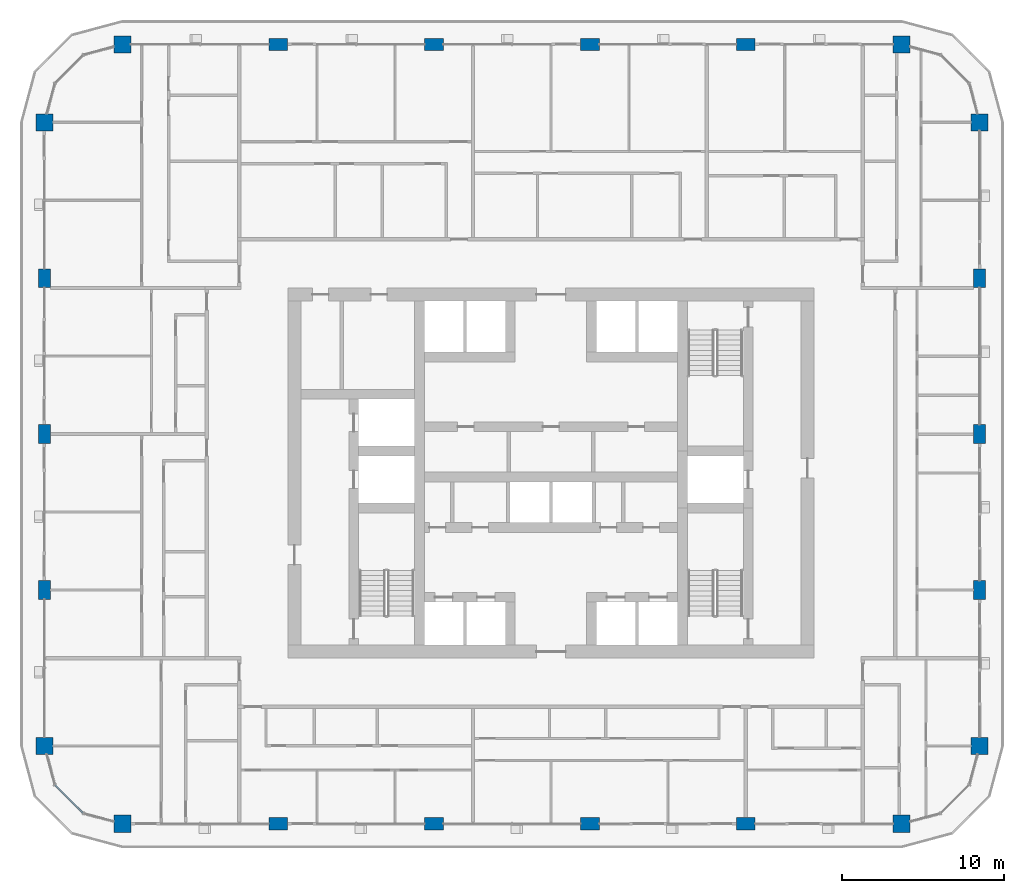
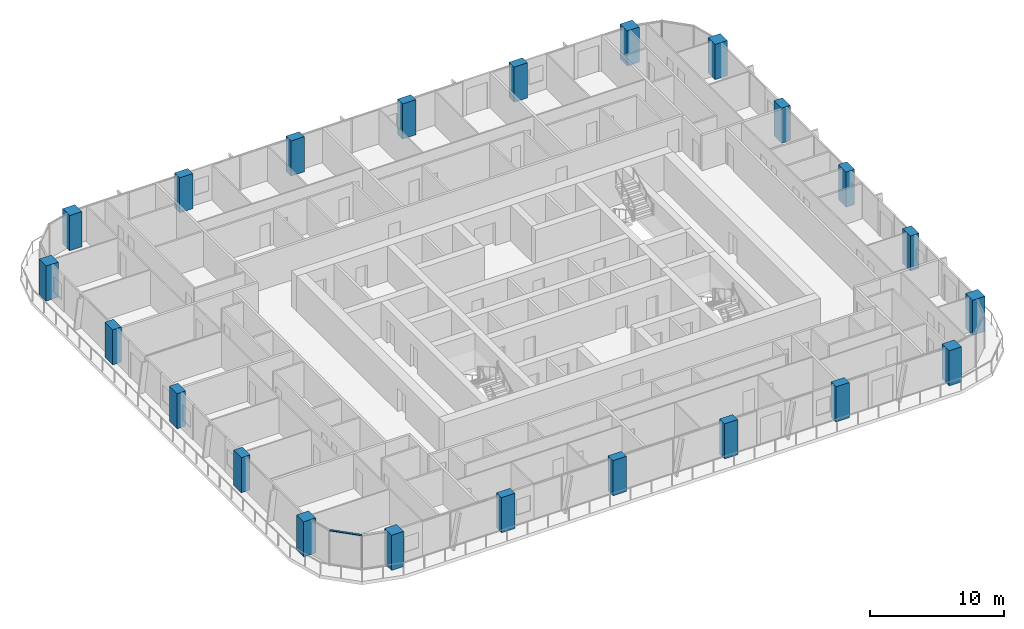
# One storey, part 1 of 22: 22 columns, 1 member, 1 element without a shape of its own.
"""IFC4 building model written with IfcOpenShell, lengths in metres."""

from ifc_helpers import new_model, si_unit, direction, frame, origin, origin_2d, place, context, subcontext, project, spatial, rectangle, extrude, material, layer, layer_set, material_profile, profile_set, type_object, element, aggregate, save


model = new_model("IFC4")

# Units and contexts
model_context = context("Model", 3, precision=1e-05, world=origin(), true_north=direction((0.0, 1.0)))
body_context = subcontext(model_context, "Body", "Model", "MODEL_VIEW")
ifc_project = project(units=[si_unit("LENGTHUNIT", "METRE"), si_unit("AREAUNIT", "SQUARE_METRE"), si_unit("VOLUMEUNIT", "CUBIC_METRE"), si_unit("PLANEANGLEUNIT", "RADIAN"), si_unit("MASSUNIT", "GRAM", prefix="KILO")], contexts=[model_context])

# Site, building, storey
site_placement = place(None, origin())
site = spatial("IfcSite", under=ifc_project, at=site_placement, CompositionType="ELEMENT")
building_placement = place(site_placement, origin())
building = spatial("IfcBuilding", under=site, at=building_placement, Name="Madar Terraces", CompositionType="ELEMENT")
storey_placement = place(building_placement, frame((0.0, 0.0, 122.60009765625)))
storey = spatial("IfcBuildingStorey", under=building, at=storey_placement, Name="L31", CompositionType="ELEMENT", Elevation=122.60009765625)

# Columns
ifc_material_1 = material(Name="Concrete C70/85", Category="concrete")
ifc_material_profile_1 = material_profile(ifc_material_1, rectangle(XDim=1.14990234375, YDim=0.75, at=origin_2d()), Name="CC3 RC 1150x750")
ifc_profile_set_1 = profile_set([ifc_material_profile_1], Name="Concrete C70/85")
column_type_1 = type_object("IfcColumnType", Name="CC3 RC 1150x750", PredefinedType="COLUMN", material=ifc_profile_set_1)
for number, where, z_axis, x_axis, name in (
    (1, (14.39990234375, 4.800048828125, 0.0), (0.0, 0.0, 1.0), (1.0, 0.0, 0.0), "Perimeter column S2"),
    (2, (24.0, 4.800048828125, 0.0), (0.0, 0.0, 1.0), (1.0, 0.0, 0.0), "Perimeter column S3"),
    (3, (33.60009765625, 4.800048828125, 0.0), (0.0, 0.0, 1.0), (1.0, 0.0, 0.0), "Perimeter column S4"),
    (4, (43.199951171875, 4.800048828125, 0.0), (0.0, 0.0, 1.0), (1.0, 0.0, 0.0), "Perimeter column S5"),
    (5, (57.60009765625, 19.199951171875, 0.0), (0.0, 0.0, 1.0), (0.0, 1.0, 0.0), "Perimeter column E2"),
    (6, (57.60009765625, 28.800048828125, 0.0), (0.0, 0.0, 1.0), (0.0, 1.0, 0.0), "Perimeter column E3"),
    (7, (57.60009765625, 38.39990234375, 0.0), (0.0, 0.0, 1.0), (0.0, 1.0, 0.0), "Perimeter column E4"),
    (8, (43.199951171875, 52.800048828125, 0.0), (0.0, 0.0, 1.0), (1.0, 0.0, 0.0), "Perimeter column N2"),
    (9, (33.60009765625, 52.800048828125, 0.0), (0.0, 0.0, 1.0), (1.0, 0.0, 0.0), "Perimeter column N3"),
    (10, (24.0, 52.800048828125, 0.0), (0.0, 0.0, 1.0), (1.0, 0.0, 0.0), "Perimeter column N4"),
    (11, (14.39990234375, 52.800048828125, 0.0), (0.0, 0.0, 1.0), (1.0, 0.0, 0.0), "Perimeter column N5"),
    (12, (0.0, 38.39990234375, 0.0), (0.0, 0.0, 1.0), (0.0, 1.0, 0.0), "Perimeter column W2"),
    (13, (0.0, 28.800048828125, 0.0), (0.0, 0.0, 1.0), (0.0, 1.0, 0.0), "Perimeter column W3"),
    (14, (0.0, 19.199951171875, 0.0), (0.0, 0.0, 1.0), (0.0, 1.0, 0.0), "Perimeter column W4"),
):
    element("IfcColumn", number, at=place(storey_placement, frame(where, z_axis=z_axis, x_axis=x_axis)), inside=storey, type_object=column_type_1, Name=name, PredefinedType="COLUMN", context=body_context, shape_type="SweptSolid", body=[
        extrude(rectangle(XDim=1.14990234375, YDim=0.75, at=origin_2d()), origin(), (0.0, 0.0, 1.0), 3.199951171875),
    ])
ifc_material_2 = material(Name="Concrete C70/85", Category="concrete")
ifc_material_profile_2 = material_profile(ifc_material_2, rectangle(XDim=1.050048828125, YDim=1.050048828125, at=origin_2d()), Name="KC3 RC 1050x1050")
ifc_profile_set_2 = profile_set([ifc_material_profile_2], Name="Concrete C70/85")
column_type_2 = type_object("IfcColumnType", Name="KC3 RC 1050x1050", PredefinedType="COLUMN", material=ifc_profile_set_2)
for number, where, z_axis, x_axis, name in (
    (15, (4.800048828125, 4.800048828125, 0.0), (0.0, 0.0, 1.0), (1.0, 0.0, 0.0), "Perimeter column S1"),
    (16, (52.800048828125, 4.800048828125, 0.0), (0.0, 0.0, 1.0), (1.0, 0.0, 0.0), "Perimeter column S6"),
    (17, (57.60009765625, 9.60009765625, 0.0), (0.0, 0.0, 1.0), (1.0, 0.0, 0.0), "Perimeter column E1"),
    (18, (57.60009765625, 48.0, 0.0), (0.0, 0.0, 1.0), (1.0, 0.0, 0.0), "Perimeter column E5"),
    (19, (52.800048828125, 52.800048828125, 0.0), (0.0, 0.0, 1.0), (1.0, 0.0, 0.0), "Perimeter column N1"),
    (20, (4.800048828125, 52.800048828125, 0.0), (0.0, 0.0, 1.0), (1.0, 0.0, 0.0), "Perimeter column N6"),
    (21, (0.0, 48.0, 0.0), (0.0, 0.0, 1.0), (1.0, 0.0, 0.0), "Perimeter column W1"),
    (22, (0.0, 9.60009765625, 0.0), (0.0, 0.0, 1.0), (1.0, 0.0, 0.0), "Perimeter column W5"),
):
    element("IfcColumn", number, at=place(storey_placement, frame(where, z_axis=z_axis, x_axis=x_axis)), inside=storey, type_object=column_type_2, Name=name, PredefinedType="COLUMN", context=body_context, shape_type="SweptSolid", body=[
        extrude(rectangle(XDim=1.050048828125, YDim=1.050048828125, at=origin_2d()), origin(), (0.0, 0.0, 1.0), 3.199951171875),
    ])

# Curtain wall, member
ifc_material_3 = material(Name="Glass, ceramic frit dark grey, with black aluminium frame", Category="aluminium")
ifc_layer = layer(ifc_material_3, 0.199951171875)
ifc_layer_set = layer_set([ifc_layer], Name="Facade curtain wall, fritted glass")
curtain_wall_type = type_object("IfcCurtainWallType", Name="Facade curtain wall, fritted glass", PredefinedType="NOTDEFINED", material=ifc_layer_set)
curtain_wall_placement = place(storey_placement, origin())
curtain_wall = element("IfcCurtainWall", 23, at=curtain_wall_placement, inside=storey, type_object=curtain_wall_type, Name="Outer skin curtain wall south-west corner", PredefinedType="NOTDEFINED")
ifc_material_4 = material(Name="Aluminium, black anodised", Category="aluminium")
ifc_material_profile_3 = material_profile(ifc_material_4, rectangle(XDim=0.1201171875, YDim=0.06005859375, at=origin_2d()), Name="Facade transom 60x120")
ifc_profile_set_3 = profile_set([ifc_material_profile_3], Name="Aluminium, black anodised")
member_type = type_object("IfcMemberType", Name="Facade transom 60x120", PredefinedType="USERDEFINED", material=ifc_profile_set_3)
member_placement = place(storey_placement, frame((0.664306640625, 7.1787109375, 3.169921875), z_axis=(0.707157125196, -0.707056433593, 0.0), x_axis=(0.707056433593, 0.707157125196, 0.0)))
member = element("IfcMember", 24, at=member_placement, type_object=member_type, Name="Transom 2", ObjectType="TRANSOM", PredefinedType="USERDEFINED", context=body_context, shape_type="SweptSolid", body=[
    extrude(rectangle(XDim=0.1201171875, YDim=0.06005859375, at=origin_2d()), origin(), (0.0, 0.0, 1.0), 2.424560546875),
])
aggregate(curtain_wall, [member])

save(model, "model.ifc")
